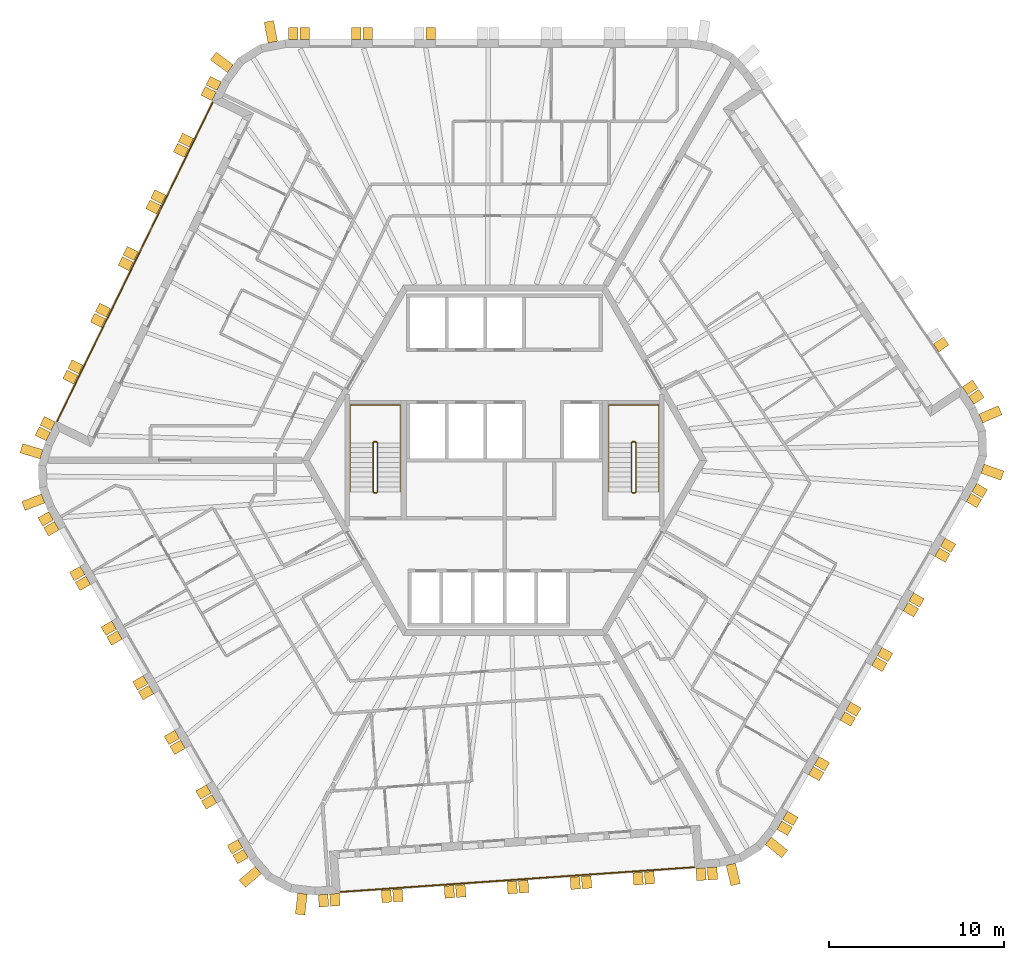
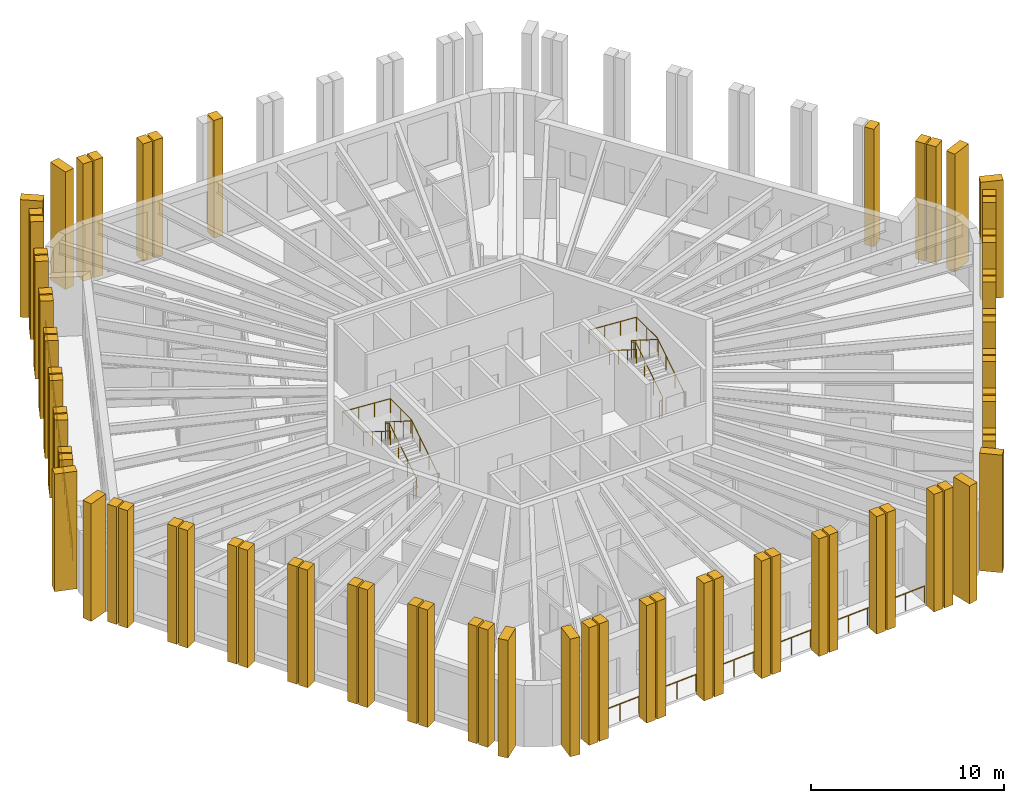
# One storey, part 11 of 12: 74 shading devices, 6 railings.
"""IFC4 building model written with IfcOpenShell, lengths in metres."""

from ifc_helpers import new_model, si_unit, direction, frame, origin, origin_2d, place, context, subcontext, project, spatial, polyline, circle, outline, extrude, material, layer, layer_set, type_object, element, save


model = new_model("IFC4")

# Units and contexts
model_context = context("Model", 3, precision=1e-05, world=origin(), true_north=direction((0.0, 1.0)))
body_context = subcontext(model_context, "Body", "Model", "MODEL_VIEW")
ifc_project = project(units=[si_unit("LENGTHUNIT", "METRE"), si_unit("AREAUNIT", "SQUARE_METRE"), si_unit("VOLUMEUNIT", "CUBIC_METRE"), si_unit("PLANEANGLEUNIT", "RADIAN"), si_unit("MASSUNIT", "GRAM", prefix="KILO")], contexts=[model_context])

# Site, building, storey
site_placement = place(None, origin())
site = spatial("IfcSite", under=ifc_project, at=site_placement, CompositionType="ELEMENT")
building_placement = place(site_placement, origin())
building = spatial("IfcBuilding", under=site, at=building_placement, Name="Tarnside Tower", CompositionType="ELEMENT")
storey_placement = place(building_placement, frame((0.0, 0.0, 369.0)))
storey = spatial("IfcBuildingStorey", under=building, at=storey_placement, Name="L89", CompositionType="ELEMENT", Elevation=369.0)

# Railings
ifc_material_1 = material(Name="Toughened glass", Category="glass")
railing_type_1 = type_object("IfcRailingType", Name="Glass guard 1100", PredefinedType="GUARDRAIL", material=ifc_material_1)
railing_1_placement = place(storey_placement, frame((-16.645263671875, 20.437744140625, 0.0)))
element("IfcRailing", 1, at=railing_1_placement, inside=storey, type_object=railing_type_1, Name="Loggia guard L89 F2", PredefinedType="GUARDRAIL", context=body_context, shape_type="SweptSolid", body=[
    extrude(circle(Radius=0.030029296875, at=origin_2d()), frame((0.0, 0.0, 1.070068359375), z_axis=(-0.438370743641, -0.898794242928, 0.0), x_axis=(0.898794242928, -0.438370743641, 0.0)), (0.0, 0.0, 1.0), 20.28173828125),
    extrude(circle(Radius=0.02490234375, at=origin_2d()), origin(), (0.0, 0.0, 1.0), 1.0400390625),
    extrude(circle(Radius=0.02490234375, at=origin_2d()), frame((-0.52294921875, -1.072265625, 0.0)), (0.0, 0.0, 1.0), 1.0400390625),
    extrude(circle(Radius=0.02490234375, at=origin_2d()), frame((-1.0458984375, -2.14453125, 0.0)), (0.0, 0.0, 1.0), 1.0400390625),
    extrude(circle(Radius=0.02490234375, at=origin_2d()), frame((-1.569091796875, -3.216796875, 0.0)), (0.0, 0.0, 1.0), 1.0400390625),
    extrude(circle(Radius=0.02490234375, at=origin_2d()), frame((-2.092041015625, -4.2890625, 0.0)), (0.0, 0.0, 1.0), 1.0400390625),
    extrude(circle(Radius=0.02490234375, at=origin_2d()), frame((-2.614990234375, -5.361572265625, 0.0)), (0.0, 0.0, 1.0), 1.0400390625),
    extrude(circle(Radius=0.02490234375, at=origin_2d()), frame((-3.137939453125, -6.433837890625, 0.0)), (0.0, 0.0, 1.0), 1.0400390625),
    extrude(circle(Radius=0.02490234375, at=origin_2d()), frame((-3.660888671875, -7.506103515625, 0.0)), (0.0, 0.0, 1.0), 1.0400390625),
    extrude(circle(Radius=0.02490234375, at=origin_2d()), frame((-4.183837890625, -8.578369140625, 0.0)), (0.0, 0.0, 1.0), 1.0400390625),
    extrude(circle(Radius=0.02490234375, at=origin_2d()), frame((-4.70703125, -9.650634765625, 0.0)), (0.0, 0.0, 1.0), 1.0400390625),
    extrude(circle(Radius=0.02490234375, at=origin_2d()), frame((-5.22998046875, -10.722900390625, 0.0)), (0.0, 0.0, 1.0), 1.0400390625),
    extrude(circle(Radius=0.02490234375, at=origin_2d()), frame((-5.7529296875, -11.795166015625, 0.0)), (0.0, 0.0, 1.0), 1.0400390625),
    extrude(circle(Radius=0.02490234375, at=origin_2d()), frame((-6.27587890625, -12.867431640625, 0.0)), (0.0, 0.0, 1.0), 1.0400390625),
    extrude(circle(Radius=0.02490234375, at=origin_2d()), frame((-6.798828125, -13.93994140625, 0.0)), (0.0, 0.0, 1.0), 1.0400390625),
    extrude(circle(Radius=0.02490234375, at=origin_2d()), frame((-7.32177734375, -15.01220703125, 0.0)), (0.0, 0.0, 1.0), 1.0400390625),
    extrude(circle(Radius=0.02490234375, at=origin_2d()), frame((-7.844970703125, -16.08447265625, 0.0)), (0.0, 0.0, 1.0), 1.0400390625),
    extrude(circle(Radius=0.02490234375, at=origin_2d()), frame((-8.367919921875, -17.15673828125, 0.0)), (0.0, 0.0, 1.0), 1.0400390625),
    extrude(circle(Radius=0.02490234375, at=origin_2d()), frame((-8.890869140625, -18.22900390625, 0.0)), (0.0, 0.0, 1.0), 1.0400390625),
])
railing_2_placement = place(storey_placement, frame((-9.376953125, -24.634033203125, 0.0)))
element("IfcRailing", 2, at=railing_2_placement, inside=storey, type_object=railing_type_1, Name="Loggia guard L89 F4", PredefinedType="GUARDRAIL", context=body_context, shape_type="SweptSolid", body=[
    extrude(circle(Radius=0.030029296875, at=origin_2d()), frame((0.0, 0.0, 1.070068359375), z_axis=(0.997563970542, 0.069757613753, 0.0), x_axis=(-0.069757613753, 0.997563970542, 0.0)), (0.0, 0.0, 1.0), 20.281494140625),
    extrude(circle(Radius=0.02490234375, at=origin_2d()), origin(), (0.0, 0.0, 1.0), 1.0400390625),
    extrude(circle(Radius=0.02490234375, at=origin_2d()), frame((1.190185546875, 0.083251953125, 0.0)), (0.0, 0.0, 1.0), 1.0400390625),
    extrude(circle(Radius=0.02490234375, at=origin_2d()), frame((2.38037109375, 0.16650390625, 0.0)), (0.0, 0.0, 1.0), 1.0400390625),
    extrude(circle(Radius=0.02490234375, at=origin_2d()), frame((3.5703125, 0.249755859375, 0.0)), (0.0, 0.0, 1.0), 1.0400390625),
    extrude(circle(Radius=0.02490234375, at=origin_2d()), frame((4.760498046875, 0.3330078125, 0.0)), (0.0, 0.0, 1.0), 1.0400390625),
    extrude(circle(Radius=0.02490234375, at=origin_2d()), frame((5.95068359375, 0.416015625, 0.0)), (0.0, 0.0, 1.0), 1.0400390625),
    extrude(circle(Radius=0.02490234375, at=origin_2d()), frame((7.140869140625, 0.499267578125, 0.0)), (0.0, 0.0, 1.0), 1.0400390625),
    extrude(circle(Radius=0.02490234375, at=origin_2d()), frame((8.330810546875, 0.58251953125, 0.0)), (0.0, 0.0, 1.0), 1.0400390625),
    extrude(circle(Radius=0.02490234375, at=origin_2d()), frame((9.52099609375, 0.665771484375, 0.0)), (0.0, 0.0, 1.0), 1.0400390625),
    extrude(circle(Radius=0.02490234375, at=origin_2d()), frame((10.711181640625, 0.7490234375, 0.0)), (0.0, 0.0, 1.0), 1.0400390625),
    extrude(circle(Radius=0.02490234375, at=origin_2d()), frame((11.9013671875, 0.832275390625, 0.0)), (0.0, 0.0, 1.0), 1.0400390625),
    extrude(circle(Radius=0.02490234375, at=origin_2d()), frame((13.09130859375, 0.91552734375, 0.0)), (0.0, 0.0, 1.0), 1.0400390625),
    extrude(circle(Radius=0.02490234375, at=origin_2d()), frame((14.281494140625, 0.998779296875, 0.0)), (0.0, 0.0, 1.0), 1.0400390625),
    extrude(circle(Radius=0.02490234375, at=origin_2d()), frame((15.4716796875, 1.081787109375, 0.0)), (0.0, 0.0, 1.0), 1.0400390625),
    extrude(circle(Radius=0.02490234375, at=origin_2d()), frame((16.661865234375, 1.1650390625, 0.0)), (0.0, 0.0, 1.0), 1.0400390625),
    extrude(circle(Radius=0.02490234375, at=origin_2d()), frame((17.851806640625, 1.248291015625, 0.0)), (0.0, 0.0, 1.0), 1.0400390625),
    extrude(circle(Radius=0.02490234375, at=origin_2d()), frame((19.0419921875, 1.33154296875, 0.0)), (0.0, 0.0, 1.0), 1.0400390625),
    extrude(circle(Radius=0.02490234375, at=origin_2d()), frame((20.232177734375, 1.414794921875, 0.0)), (0.0, 0.0, 1.0), 1.0400390625),
])

# Shading devices
ifc_material_2 = material(Name="Concrete C50/60 white precast", Category="concrete")
ifc_layer_1 = layer(ifc_material_2, 0.550048828125)
ifc_layer_set_1 = layer_set([ifc_layer_1], Name="Precast fin 550 x 1200")
shading_device_type_1 = type_object("IfcShadingDeviceType", Name="Precast fin 550 x 1200", PredefinedType="USERDEFINED", material=ifc_layer_set_1)
for number, where, z_axis, x_axis, name in (
    (3, (-13.2255859375, 23.86669921875, -0.14990234375), (0.982720646705, 0.18509492305, 0.0), (-0.18509492305, 0.982720646705, 0.0), "Precast fin"),
    (4, (-15.653564453125, 22.349609375, -0.14990234375), (0.597158591707, 0.802123192752, 0.0), (-0.802123192752, 0.597158591707, 0.0), "Precast fin"),
    (5, (-26.421630859375, 0.34228515625, -0.14990234375), (0.286803232717, 0.957989512314, 0.0), (-0.957989512314, 0.286803232717, 0.0), "Precast fin"),
    (6, (-26.33349609375, -2.1845703125, -0.14990234375), (-0.352930564719, 0.935649515837, 0.0), (-0.935649515837, -0.352930564719, 0.0), "Precast fin"),
    (7, (-14.056396484375, -23.38720703125, -0.14990234375), (-0.651657228826, 0.758513583345, 0.0), (-0.758513583345, -0.651657228826, 0.0), "Precast fin"),
    (8, (-11.528564453125, -24.731201171875, -0.14990234375), (-0.993238357741, 0.116092914131, 0.0), (-0.116092914131, -0.993238357741, 0.0), "Precast fin"),
    (9, (12.914306640625, -23.052978515625, -0.14990234375), (-0.973044870581, -0.230615870737, 0.0), (0.230615870737, -0.973044870581, 0.0), "Precast fin"),
    (10, (15.05859375, -21.713134765625, -0.14990234375), (-0.633830967394, -0.773471592738, 0.0), (0.773471592738, -0.633830967394, 0.0), "Precast fin"),
    (11, (27.281982421875, -0.4794921875, -0.14990234375), (-0.331063417879, -0.943608506396, 0.0), (0.943608506396, -0.331063417879, 0.0), "Precast fin"),
    (12, (27.18212890625, 2.381591796875, -0.14990234375), (0.396079766034, -0.918216106883, 0.0), (0.918216106883, 0.396079766034, 0.0), "Precast fin"),
):
    element("IfcShadingDevice", number, at=place(storey_placement, frame(where, z_axis=z_axis, x_axis=x_axis)), inside=storey, type_object=shading_device_type_1, Name=name, ObjectType="FIN", PredefinedType="USERDEFINED", context=body_context, shape_type="SweptSolid", body=[
        extrude(outline(polyline([(0.0, 0.0), (1.199951171875, 0.0), (1.199951171875, 7.449951171875), (0.0, 7.449951171875), (0.0, 0.0)])), frame((0.0, 0.0, -0.27490234375)), (0.0, 0.0, 1.0), 0.550048828125),
    ])
ifc_layer_2 = layer(ifc_material_2, 0.550048828125)
ifc_layer_set_2 = layer_set([ifc_layer_2], Name="Precast fin 550 x 700")
shading_device_type_2 = type_object("IfcShadingDeviceType", Name="Precast fin 550 x 700", PredefinedType="USERDEFINED", material=ifc_layer_set_2)
for number, where, z_axis, x_axis, name in (
    (13, (-4.20654296875, 24.0, -0.14990234375), (1.0, 0.0, 0.0), (0.0, 1.0, 0.0), "Precast fin"),
    (14, (-7.806640625, 24.0, -0.14990234375), (1.0, 0.0, 0.0), (0.0, 1.0, 0.0), "Precast fin"),
    (15, (-8.45654296875, 24.0, -0.14990234375), (1.0, 0.0, 0.0), (0.0, 1.0, 0.0), "Precast fin"),
    (16, (-11.406494140625, 24.0, -0.14990234375), (1.0, 0.0, 0.0), (0.0, 1.0, 0.0), "Precast fin"),
    (17, (-12.056640625, 24.0, -0.14990234375), (1.0, 0.0, 0.0), (0.0, 1.0, 0.0), "Precast fin"),
    (18, (-16.285888671875, 21.357177734375, -0.14990234375), (0.438371146789, 0.898794046299, 0.0), (-0.898794046299, 0.438371146789, 0.0), "Precast fin"),
    (19, (-16.57080078125, 20.773193359375, -0.14990234375), (0.438371146789, 0.898794046299, 0.0), (-0.898794046299, 0.438371146789, 0.0), "Precast fin"),
    (20, (-17.864013671875, 18.12158203125, -0.14990234375), (0.438371146789, 0.898794046299, 0.0), (-0.898794046299, 0.438371146789, 0.0), "Precast fin"),
    (21, (-18.14892578125, 17.537353515625, -0.14990234375), (0.438371146789, 0.898794046299, 0.0), (-0.898794046299, 0.438371146789, 0.0), "Precast fin"),
    (22, (-19.442138671875, 14.885986328125, -0.14990234375), (0.438371146789, 0.898794046299, 0.0), (-0.898794046299, 0.438371146789, 0.0), "Precast fin"),
    (23, (-19.72705078125, 14.3017578125, -0.14990234375), (0.438371146789, 0.898794046299, 0.0), (-0.898794046299, 0.438371146789, 0.0), "Precast fin"),
    (24, (-21.020263671875, 11.650390625, -0.14990234375), (0.438371146789, 0.898794046299, 0.0), (-0.898794046299, 0.438371146789, 0.0), "Precast fin"),
    (25, (-21.30517578125, 11.066162109375, -0.14990234375), (0.438371146789, 0.898794046299, 0.0), (-0.898794046299, 0.438371146789, 0.0), "Precast fin"),
    (26, (-22.598388671875, 8.41455078125, -0.14990234375), (0.438371146789, 0.898794046299, 0.0), (-0.898794046299, 0.438371146789, 0.0), "Precast fin"),
    (27, (-22.88330078125, 7.83056640625, -0.14990234375), (0.438371146789, 0.898794046299, 0.0), (-0.898794046299, 0.438371146789, 0.0), "Precast fin"),
    (28, (-24.176513671875, 5.178955078125, -0.14990234375), (0.438371146789, 0.898794046299, 0.0), (-0.898794046299, 0.438371146789, 0.0), "Precast fin"),
    (29, (-24.46142578125, 4.5947265625, -0.14990234375), (0.438371146789, 0.898794046299, 0.0), (-0.898794046299, 0.438371146789, 0.0), "Precast fin"),
    (30, (-25.754638671875, 1.943359375, -0.14990234375), (0.438371146789, 0.898794046299, 0.0), (-0.898794046299, 0.438371146789, 0.0), "Precast fin"),
    (31, (-26.03955078125, 1.359130859375, -0.14990234375), (0.438371146789, 0.898794046299, 0.0), (-0.898794046299, 0.438371146789, 0.0), "Precast fin"),
    (32, (-25.88134765625, -3.17236328125, -0.14990234375), (-0.5, 0.866025403784, 0.0), (-0.866025403784, -0.5, 0.0), "Precast fin"),
    (33, (-25.556396484375, -3.735107421875, -0.14990234375), (-0.5, 0.866025403784, 0.0), (-0.866025403784, -0.5, 0.0), "Precast fin"),
    (34, (-24.081298828125, -6.2900390625, -0.14990234375), (-0.5, 0.866025403784, 0.0), (-0.866025403784, -0.5, 0.0), "Precast fin"),
    (35, (-23.75634765625, -6.852783203125, -0.14990234375), (-0.5, 0.866025403784, 0.0), (-0.866025403784, -0.5, 0.0), "Precast fin"),
    (36, (-22.28125, -9.40771484375, -0.14990234375), (-0.5, 0.866025403784, 0.0), (-0.866025403784, -0.5, 0.0), "Precast fin"),
    (37, (-21.956298828125, -9.970458984375, -0.14990234375), (-0.5, 0.866025403784, 0.0), (-0.866025403784, -0.5, 0.0), "Precast fin"),
    (38, (-20.481201171875, -12.525390625, -0.14990234375), (-0.5, 0.866025403784, 0.0), (-0.866025403784, -0.5, 0.0), "Precast fin"),
    (39, (-20.15625, -13.08837890625, -0.14990234375), (-0.5, 0.866025403784, 0.0), (-0.866025403784, -0.5, 0.0), "Precast fin"),
    (40, (-18.681396484375, -15.64306640625, -0.14990234375), (-0.5, 0.866025403784, 0.0), (-0.866025403784, -0.5, 0.0), "Precast fin"),
    (41, (-18.356201171875, -16.2060546875, -0.14990234375), (-0.5, 0.866025403784, 0.0), (-0.866025403784, -0.5, 0.0), "Precast fin"),
    (42, (-16.88134765625, -18.7607421875, -0.14990234375), (-0.5, 0.866025403784, 0.0), (-0.866025403784, -0.5, 0.0), "Precast fin"),
    (43, (-16.556396484375, -19.32373046875, -0.14990234375), (-0.5, 0.866025403784, 0.0), (-0.866025403784, -0.5, 0.0), "Precast fin"),
    (44, (-15.081298828125, -21.87841796875, -0.14990234375), (-0.5, 0.866025403784, 0.0), (-0.866025403784, -0.5, 0.0), "Precast fin"),
    (45, (-14.75634765625, -22.44140625, -0.14990234375), (-0.5, 0.866025403784, 0.0), (-0.866025403784, -0.5, 0.0), "Precast fin"),
    (46, (-10.35302734375, -24.782470703125, -0.14990234375), (-0.99756405026, -0.069756473744, 0.0), (0.069756473744, -0.99756405026, 0.0), "Precast fin"),
    (47, (-9.70458984375, -24.7373046875, -0.14990234375), (-0.99756405026, -0.069756473744, 0.0), (0.069756473744, -0.99756405026, 0.0), "Precast fin"),
    (48, (-6.76171875, -24.531494140625, -0.14990234375), (-0.99756405026, -0.069756473744, 0.0), (0.069756473744, -0.99756405026, 0.0), "Precast fin"),
    (49, (-6.113525390625, -24.486083984375, -0.14990234375), (-0.99756405026, -0.069756473744, 0.0), (0.069756473744, -0.99756405026, 0.0), "Precast fin"),
    (50, (-3.170654296875, -24.2802734375, -0.14990234375), (-0.99756405026, -0.069756473744, 0.0), (0.069756473744, -0.99756405026, 0.0), "Precast fin"),
    (51, (-2.522216796875, -24.23486328125, -0.14990234375), (-0.99756405026, -0.069756473744, 0.0), (0.069756473744, -0.99756405026, 0.0), "Precast fin"),
    (52, (0.420654296875, -24.029296875, -0.14990234375), (-0.99756405026, -0.069756473744, 0.0), (0.069756473744, -0.99756405026, 0.0), "Precast fin"),
    (53, (1.069091796875, -23.98388671875, -0.14990234375), (-0.99756405026, -0.069756473744, 0.0), (0.069756473744, -0.99756405026, 0.0), "Precast fin"),
    (54, (4.011962890625, -23.778076171875, -0.14990234375), (-0.99756405026, -0.069756473744, 0.0), (0.069756473744, -0.99756405026, 0.0), "Precast fin"),
    (55, (4.66015625, -23.732666015625, -0.14990234375), (-0.99756405026, -0.069756473744, 0.0), (0.069756473744, -0.99756405026, 0.0), "Precast fin"),
    (56, (7.60302734375, -23.52685546875, -0.14990234375), (-0.99756405026, -0.069756473744, 0.0), (0.069756473744, -0.99756405026, 0.0), "Precast fin"),
    (57, (8.25146484375, -23.481689453125, -0.14990234375), (-0.99756405026, -0.069756473744, 0.0), (0.069756473744, -0.99756405026, 0.0), "Precast fin"),
    (58, (11.1943359375, -23.27587890625, -0.14990234375), (-0.99756405026, -0.069756473744, 0.0), (0.069756473744, -0.99756405026, 0.0), "Precast fin"),
    (59, (11.8427734375, -23.23046875, -0.14990234375), (-0.99756405026, -0.069756473744, 0.0), (0.069756473744, -0.99756405026, 0.0), "Precast fin"),
    (60, (15.68798828125, -20.82763671875, -0.14990234375), (-0.5, -0.866025403784, 0.0), (0.866025403784, -0.5, 0.0), "Precast fin"),
    (61, (16.012939453125, -20.264892578125, -0.14990234375), (-0.5, -0.866025403784, 0.0), (0.866025403784, -0.5, 0.0), "Precast fin"),
    (62, (17.488037109375, -17.7099609375, -0.14990234375), (-0.5, -0.866025403784, 0.0), (0.866025403784, -0.5, 0.0), "Precast fin"),
    (63, (17.81298828125, -17.147216796875, -0.14990234375), (-0.5, -0.866025403784, 0.0), (0.866025403784, -0.5, 0.0), "Precast fin"),
    (64, (19.287841796875, -14.59228515625, -0.14990234375), (-0.5, -0.866025403784, 0.0), (0.866025403784, -0.5, 0.0), "Precast fin"),
    (65, (19.613037109375, -14.029541015625, -0.14990234375), (-0.5, -0.866025403784, 0.0), (0.866025403784, -0.5, 0.0), "Precast fin"),
    (66, (21.087890625, -11.474609375, -0.14990234375), (-0.5, -0.866025403784, 0.0), (0.866025403784, -0.5, 0.0), "Precast fin"),
    (67, (21.412841796875, -10.91162109375, -0.14990234375), (-0.5, -0.866025403784, 0.0), (0.866025403784, -0.5, 0.0), "Precast fin"),
    (68, (22.887939453125, -8.35693359375, -0.14990234375), (-0.5, -0.866025403784, 0.0), (0.866025403784, -0.5, 0.0), "Precast fin"),
    (69, (23.212890625, -7.7939453125, -0.14990234375), (-0.5, -0.866025403784, 0.0), (0.866025403784, -0.5, 0.0), "Precast fin"),
    (70, (24.68798828125, -5.2392578125, -0.14990234375), (-0.5, -0.866025403784, 0.0), (0.866025403784, -0.5, 0.0), "Precast fin"),
    (71, (25.012939453125, -4.67626953125, -0.14990234375), (-0.5, -0.866025403784, 0.0), (0.866025403784, -0.5, 0.0), "Precast fin"),
    (72, (26.488037109375, -2.12158203125, -0.14990234375), (-0.5, -0.866025403784, 0.0), (0.866025403784, -0.5, 0.0), "Precast fin"),
    (73, (26.81298828125, -1.55859375, -0.14990234375), (-0.5, -0.866025403784, 0.0), (0.866025403784, -0.5, 0.0), "Precast fin"),
    (74, (26.638916015625, 3.42529296875, -0.14990234375), (0.559192903471, -0.829037572555, 0.0), (0.829037572555, 0.559192903471, 0.0), "Precast fin"),
    (75, (26.275390625, 3.964111328125, -0.14990234375), (0.559192903471, -0.829037572555, 0.0), (0.829037572555, 0.559192903471, 0.0), "Precast fin"),
    (76, (24.625732421875, 6.409912109375, -0.14990234375), (0.559192903471, -0.829037572555, 0.0), (0.829037572555, 0.559192903471, 0.0), "Precast fin"),
):
    element("IfcShadingDevice", number, at=place(storey_placement, frame(where, z_axis=z_axis, x_axis=x_axis)), inside=storey, type_object=shading_device_type_2, Name=name, ObjectType="FIN", PredefinedType="USERDEFINED", context=body_context, shape_type="SweptSolid", body=[
        extrude(outline(polyline([(0.0, 0.0), (0.699951171875, 0.0), (0.699951171875, 7.449951171875), (0.0, 7.449951171875), (0.0, 0.0)])), frame((0.0, 0.0, -0.27490234375)), (0.0, 0.0, 1.0), 0.550048828125),
    ])

# Railings
ifc_material_3 = material(Name="Stainless steel", Category="steel")
railing_type_2 = type_object("IfcRailingType", Name="Stair guard 1100", PredefinedType="GUARDRAIL", material=ifc_material_3)
railing_3_placement = place(storey_placement, frame((7.300048828125, -1.85009765625, 0.0)))
element("IfcRailing", 77, at=railing_3_placement, inside=storey, type_object=railing_type_2, Name="L89 ST1 stair guard 1", PredefinedType="GUARDRAIL", context=body_context, shape_type="SweptSolid", body=[
    extrude(circle(Radius=0.02392578125, at=origin_2d()), frame((0.0, 0.0, 1.076171875), z_axis=(1.0, 0.0, 0.0), x_axis=(0.0, 1.0, 0.0)), (0.0, 0.0, 1.0), 0.14990234375),
    extrude(circle(Radius=0.02392578125, at=origin_2d()), frame((0.14990234375, 0.0, 1.076171875), z_axis=(0.262233686654, 0.262233686654, 0.928691007369), x_axis=(-0.707106781187, 0.707106781187, 0.0)), (0.0, 0.0, 1.0), 0.19091796875),
    extrude(circle(Radius=0.02392578125, at=origin_2d()), frame((0.199951171875, 0.050048828125, 1.25341796875), z_axis=(0.0, 0.844908973607, 0.534910110503), x_axis=(-1.0, 0.0, 0.0)), (0.0, 0.0, 1.0), 3.31396484375),
    extrude(circle(Radius=0.02392578125, at=origin_2d()), frame((0.199951171875, 2.85009765625, 3.02587890625), z_axis=(-0.707106781187, 0.707106781187, 0.0), x_axis=(-0.707106781187, -0.707106781187, 0.0)), (0.0, 0.0, 1.0), 0.07080078125),
    extrude(circle(Radius=0.02392578125, at=origin_2d()), frame((0.14990234375, 2.900146484375, 3.02587890625), z_axis=(-1.0, 0.0, 0.0), x_axis=(0.0, -1.0, 0.0)), (0.0, 0.0, 1.0), 0.14990234375),
    extrude(circle(Radius=0.02392578125, at=origin_2d()), frame((0.0, 2.900146484375, 3.02587890625), z_axis=(-0.262233686654, -0.262233686654, 0.928691007369), x_axis=(0.707106781187, -0.707106781187, 0.0)), (0.0, 0.0, 1.0), 0.19091796875),
    extrude(circle(Radius=0.02392578125, at=origin_2d()), frame((-0.050048828125, 2.85009765625, 3.203125), z_axis=(0.0, -0.844908973607, 0.534910110503), x_axis=(1.0, 0.0, 0.0)), (0.0, 0.0, 1.0), 3.31396484375),
    extrude(circle(Radius=0.02099609375, at=origin_2d()), origin(), (0.0, 0.0, 1.0), 1.052001953125),
    extrude(circle(Radius=0.02099609375, at=origin_2d()), frame((0.14990234375, 0.0, 0.0)), (0.0, 0.0, 1.0), 1.052001953125),
    extrude(circle(Radius=0.02099609375, at=origin_2d()), frame((0.199951171875, 0.050048828125, 0.17724609375)), (0.0, 0.0, 1.0), 1.052001953125),
    extrude(circle(Radius=0.02099609375, at=origin_2d()), frame((0.199951171875, 0.9833984375, 0.76806640625)), (0.0, 0.0, 1.0), 1.052001953125),
    extrude(circle(Radius=0.02099609375, at=origin_2d()), frame((0.199951171875, 1.916748046875, 1.359130859375)), (0.0, 0.0, 1.0), 1.052001953125),
    extrude(circle(Radius=0.02099609375, at=origin_2d()), frame((0.199951171875, 2.85009765625, 1.949951171875)), (0.0, 0.0, 1.0), 1.052001953125),
    extrude(circle(Radius=0.02099609375, at=origin_2d()), frame((0.14990234375, 2.900146484375, 1.949951171875)), (0.0, 0.0, 1.0), 1.052001953125),
    extrude(circle(Radius=0.02099609375, at=origin_2d()), frame((0.0, 2.900146484375, 1.949951171875)), (0.0, 0.0, 1.0), 1.052001953125),
    extrude(circle(Radius=0.02099609375, at=origin_2d()), frame((-0.050048828125, 2.85009765625, 2.127197265625)), (0.0, 0.0, 1.0), 1.052001953125),
    extrude(circle(Radius=0.02099609375, at=origin_2d()), frame((-0.050048828125, 1.916748046875, 2.718017578125)), (0.0, 0.0, 1.0), 1.052001953125),
    extrude(circle(Radius=0.02099609375, at=origin_2d()), frame((-0.050048828125, 0.9833984375, 3.30908203125)), (0.0, 0.0, 1.0), 1.052001953125),
    extrude(circle(Radius=0.02099609375, at=origin_2d()), frame((-0.050048828125, 0.050048828125, 3.89990234375)), (0.0, 0.0, 1.0), 1.052001953125),
])
railing_4_placement = place(storey_placement, frame((-7.449951171875, -1.85009765625, 0.0)))
element("IfcRailing", 78, at=railing_4_placement, inside=storey, type_object=railing_type_2, Name="L89 ST2 stair guard 1", PredefinedType="GUARDRAIL", context=body_context, shape_type="SweptSolid", body=[
    extrude(circle(Radius=0.02392578125, at=origin_2d()), frame((0.0, 0.0, 1.076171875), z_axis=(1.0, 0.0, 0.0), x_axis=(0.0, 1.0, 0.0)), (0.0, 0.0, 1.0), 0.14990234375),
    extrude(circle(Radius=0.02392578125, at=origin_2d()), frame((0.14990234375, 0.0, 1.076171875), z_axis=(0.262233686654, 0.262233686654, 0.928691007369), x_axis=(-0.707106781187, 0.707106781187, 0.0)), (0.0, 0.0, 1.0), 0.19091796875),
    extrude(circle(Radius=0.02392578125, at=origin_2d()), frame((0.199951171875, 0.050048828125, 1.25341796875), z_axis=(0.0, 0.844908973607, 0.534910110503), x_axis=(-1.0, 0.0, 0.0)), (0.0, 0.0, 1.0), 3.31396484375),
    extrude(circle(Radius=0.02392578125, at=origin_2d()), frame((0.199951171875, 2.85009765625, 3.02587890625), z_axis=(-0.707106781187, 0.707106781187, 0.0), x_axis=(-0.707106781187, -0.707106781187, 0.0)), (0.0, 0.0, 1.0), 0.07080078125),
    extrude(circle(Radius=0.02392578125, at=origin_2d()), frame((0.14990234375, 2.900146484375, 3.02587890625), z_axis=(-1.0, 0.0, 0.0), x_axis=(0.0, -1.0, 0.0)), (0.0, 0.0, 1.0), 0.14990234375),
    extrude(circle(Radius=0.02392578125, at=origin_2d()), frame((0.0, 2.900146484375, 3.02587890625), z_axis=(-0.262233686654, -0.262233686654, 0.928691007369), x_axis=(0.707106781187, -0.707106781187, 0.0)), (0.0, 0.0, 1.0), 0.19091796875),
    extrude(circle(Radius=0.02392578125, at=origin_2d()), frame((-0.050048828125, 2.85009765625, 3.203125), z_axis=(0.0, -0.844908973607, 0.534910110503), x_axis=(1.0, 0.0, 0.0)), (0.0, 0.0, 1.0), 3.31396484375),
    extrude(circle(Radius=0.02099609375, at=origin_2d()), origin(), (0.0, 0.0, 1.0), 1.052001953125),
    extrude(circle(Radius=0.02099609375, at=origin_2d()), frame((0.14990234375, 0.0, 0.0)), (0.0, 0.0, 1.0), 1.052001953125),
    extrude(circle(Radius=0.02099609375, at=origin_2d()), frame((0.199951171875, 0.050048828125, 0.17724609375)), (0.0, 0.0, 1.0), 1.052001953125),
    extrude(circle(Radius=0.02099609375, at=origin_2d()), frame((0.199951171875, 0.9833984375, 0.76806640625)), (0.0, 0.0, 1.0), 1.052001953125),
    extrude(circle(Radius=0.02099609375, at=origin_2d()), frame((0.199951171875, 1.916748046875, 1.359130859375)), (0.0, 0.0, 1.0), 1.052001953125),
    extrude(circle(Radius=0.02099609375, at=origin_2d()), frame((0.199951171875, 2.85009765625, 1.949951171875)), (0.0, 0.0, 1.0), 1.052001953125),
    extrude(circle(Radius=0.02099609375, at=origin_2d()), frame((0.14990234375, 2.900146484375, 1.949951171875)), (0.0, 0.0, 1.0), 1.052001953125),
    extrude(circle(Radius=0.02099609375, at=origin_2d()), frame((0.0, 2.900146484375, 1.949951171875)), (0.0, 0.0, 1.0), 1.052001953125),
    extrude(circle(Radius=0.02099609375, at=origin_2d()), frame((-0.050048828125, 2.85009765625, 2.127197265625)), (0.0, 0.0, 1.0), 1.052001953125),
    extrude(circle(Radius=0.02099609375, at=origin_2d()), frame((-0.050048828125, 1.916748046875, 2.718017578125)), (0.0, 0.0, 1.0), 1.052001953125),
    extrude(circle(Radius=0.02099609375, at=origin_2d()), frame((-0.050048828125, 0.9833984375, 3.30908203125)), (0.0, 0.0, 1.0), 1.052001953125),
    extrude(circle(Radius=0.02099609375, at=origin_2d()), frame((-0.050048828125, 0.050048828125, 3.89990234375)), (0.0, 0.0, 1.0), 1.052001953125),
])
railing_type_3 = type_object("IfcRailingType", Name="Stair handrail 900", PredefinedType="HANDRAIL", material=ifc_material_3)
railing_5_placement = place(storey_placement, frame((8.800048828125, -1.800048828125, 0.17724609375)))
element("IfcRailing", 79, at=railing_5_placement, inside=storey, type_object=railing_type_3, Name="L89 ST1 stair handrail 1", PredefinedType="HANDRAIL", context=body_context, shape_type="SweptSolid", body=[
    extrude(circle(Radius=0.02392578125, at=origin_2d()), frame((0.0, 0.0, 0.8857421875), z_axis=(0.0, 0.844908973607, 0.534910110503), x_axis=(-1.0, 0.0, 0.0)), (0.0, 0.0, 1.0), 3.31396484375),
    extrude(circle(Radius=0.02392578125, at=origin_2d()), frame((0.0, 2.800048828125, 2.65869140625), z_axis=(0.0, 1.0, 0.0), x_axis=(-1.0, 0.0, 0.0)), (0.0, 0.0, 1.0), 2.14990234375),
    extrude(circle(Radius=0.02392578125, at=origin_2d()), frame((0.0, 4.949951171875, 2.65869140625), z_axis=(-0.998071825391, 0.0, 0.06206956872), x_axis=(0.0, -1.0, 0.0)), (0.0, 0.0, 1.0), 2.855712890625),
    extrude(circle(Radius=0.02392578125, at=origin_2d()), frame((-2.85009765625, 4.949951171875, 2.8359375), z_axis=(0.0, -1.0, 0.0), x_axis=(1.0, 0.0, 0.0)), (0.0, 0.0, 1.0), 2.14990234375),
    extrude(circle(Radius=0.02392578125, at=origin_2d()), frame((-2.85009765625, 2.800048828125, 2.8359375), z_axis=(0.0, -0.844908973607, 0.534910110503), x_axis=(1.0, 0.0, 0.0)), (0.0, 0.0, 1.0), 3.31396484375),
    extrude(circle(Radius=0.02099609375, at=origin_2d()), origin(), (0.0, 0.0, 1.0), 0.86181640625),
    extrude(circle(Radius=0.02099609375, at=origin_2d()), frame((0.0, 0.933349609375, 0.5908203125)), (0.0, 0.0, 1.0), 0.86181640625),
    extrude(circle(Radius=0.02099609375, at=origin_2d()), frame((0.0, 1.86669921875, 1.181884765625)), (0.0, 0.0, 1.0), 0.86181640625),
    extrude(circle(Radius=0.02099609375, at=origin_2d()), frame((0.0, 2.800048828125, 1.772705078125)), (0.0, 0.0, 1.0), 0.86181640625),
    extrude(circle(Radius=0.02099609375, at=origin_2d()), frame((0.0, 3.875, 1.772705078125)), (0.0, 0.0, 1.0), 0.86181640625),
    extrude(circle(Radius=0.02099609375, at=origin_2d()), frame((0.0, 4.949951171875, 1.772705078125)), (0.0, 0.0, 1.0), 0.86181640625),
    extrude(circle(Radius=0.02099609375, at=origin_2d()), frame((-0.949951171875, 4.949951171875, 1.831787109375)), (0.0, 0.0, 1.0), 0.86181640625),
    extrude(circle(Radius=0.02099609375, at=origin_2d()), frame((-1.900146484375, 4.949951171875, 1.890869140625)), (0.0, 0.0, 1.0), 0.86181640625),
    extrude(circle(Radius=0.02099609375, at=origin_2d()), frame((-2.85009765625, 4.949951171875, 1.949951171875)), (0.0, 0.0, 1.0), 0.86181640625),
    extrude(circle(Radius=0.02099609375, at=origin_2d()), frame((-2.85009765625, 3.875, 1.949951171875)), (0.0, 0.0, 1.0), 0.86181640625),
    extrude(circle(Radius=0.02099609375, at=origin_2d()), frame((-2.85009765625, 2.800048828125, 1.949951171875)), (0.0, 0.0, 1.0), 0.86181640625),
    extrude(circle(Radius=0.02099609375, at=origin_2d()), frame((-2.85009765625, 1.86669921875, 2.540771484375)), (0.0, 0.0, 1.0), 0.86181640625),
    extrude(circle(Radius=0.02099609375, at=origin_2d()), frame((-2.85009765625, 0.933349609375, 3.1318359375)), (0.0, 0.0, 1.0), 0.86181640625),
    extrude(circle(Radius=0.02099609375, at=origin_2d()), frame((-2.85009765625, 0.0, 3.72265625)), (0.0, 0.0, 1.0), 0.86181640625),
])
railing_6_placement = place(storey_placement, frame((-5.949951171875, -1.800048828125, 0.17724609375)))
element("IfcRailing", 80, at=railing_6_placement, inside=storey, type_object=railing_type_3, Name="L89 ST2 stair handrail 1", PredefinedType="HANDRAIL", context=body_context, shape_type="SweptSolid", body=[
    extrude(circle(Radius=0.02392578125, at=origin_2d()), frame((0.0, 0.0, 0.8857421875), z_axis=(0.0, 0.844908973607, 0.534910110503), x_axis=(-1.0, 0.0, 0.0)), (0.0, 0.0, 1.0), 3.31396484375),
    extrude(circle(Radius=0.02392578125, at=origin_2d()), frame((0.0, 2.800048828125, 2.65869140625), z_axis=(0.0, 1.0, 0.0), x_axis=(-1.0, 0.0, 0.0)), (0.0, 0.0, 1.0), 2.14990234375),
    extrude(circle(Radius=0.02392578125, at=origin_2d()), frame((0.0, 4.949951171875, 2.65869140625), z_axis=(-0.998071825391, 0.0, 0.06206956872), x_axis=(0.0, -1.0, 0.0)), (0.0, 0.0, 1.0), 2.855712890625),
    extrude(circle(Radius=0.02392578125, at=origin_2d()), frame((-2.85009765625, 4.949951171875, 2.8359375), z_axis=(0.0, -1.0, 0.0), x_axis=(1.0, 0.0, 0.0)), (0.0, 0.0, 1.0), 2.14990234375),
    extrude(circle(Radius=0.02392578125, at=origin_2d()), frame((-2.85009765625, 2.800048828125, 2.8359375), z_axis=(0.0, -0.844908973607, 0.534910110503), x_axis=(1.0, 0.0, 0.0)), (0.0, 0.0, 1.0), 3.31396484375),
    extrude(circle(Radius=0.02099609375, at=origin_2d()), origin(), (0.0, 0.0, 1.0), 0.86181640625),
    extrude(circle(Radius=0.02099609375, at=origin_2d()), frame((0.0, 0.933349609375, 0.5908203125)), (0.0, 0.0, 1.0), 0.86181640625),
    extrude(circle(Radius=0.02099609375, at=origin_2d()), frame((0.0, 1.86669921875, 1.181884765625)), (0.0, 0.0, 1.0), 0.86181640625),
    extrude(circle(Radius=0.02099609375, at=origin_2d()), frame((0.0, 2.800048828125, 1.772705078125)), (0.0, 0.0, 1.0), 0.86181640625),
    extrude(circle(Radius=0.02099609375, at=origin_2d()), frame((0.0, 3.875, 1.772705078125)), (0.0, 0.0, 1.0), 0.86181640625),
    extrude(circle(Radius=0.02099609375, at=origin_2d()), frame((0.0, 4.949951171875, 1.772705078125)), (0.0, 0.0, 1.0), 0.86181640625),
    extrude(circle(Radius=0.02099609375, at=origin_2d()), frame((-0.949951171875, 4.949951171875, 1.831787109375)), (0.0, 0.0, 1.0), 0.86181640625),
    extrude(circle(Radius=0.02099609375, at=origin_2d()), frame((-1.900146484375, 4.949951171875, 1.890869140625)), (0.0, 0.0, 1.0), 0.86181640625),
    extrude(circle(Radius=0.02099609375, at=origin_2d()), frame((-2.85009765625, 4.949951171875, 1.949951171875)), (0.0, 0.0, 1.0), 0.86181640625),
    extrude(circle(Radius=0.02099609375, at=origin_2d()), frame((-2.85009765625, 3.875, 1.949951171875)), (0.0, 0.0, 1.0), 0.86181640625),
    extrude(circle(Radius=0.02099609375, at=origin_2d()), frame((-2.85009765625, 2.800048828125, 1.949951171875)), (0.0, 0.0, 1.0), 0.86181640625),
    extrude(circle(Radius=0.02099609375, at=origin_2d()), frame((-2.85009765625, 1.86669921875, 2.540771484375)), (0.0, 0.0, 1.0), 0.86181640625),
    extrude(circle(Radius=0.02099609375, at=origin_2d()), frame((-2.85009765625, 0.933349609375, 3.1318359375)), (0.0, 0.0, 1.0), 0.86181640625),
    extrude(circle(Radius=0.02099609375, at=origin_2d()), frame((-2.85009765625, 0.0, 3.72265625)), (0.0, 0.0, 1.0), 0.86181640625),
])

save(model, "model.ifc")
